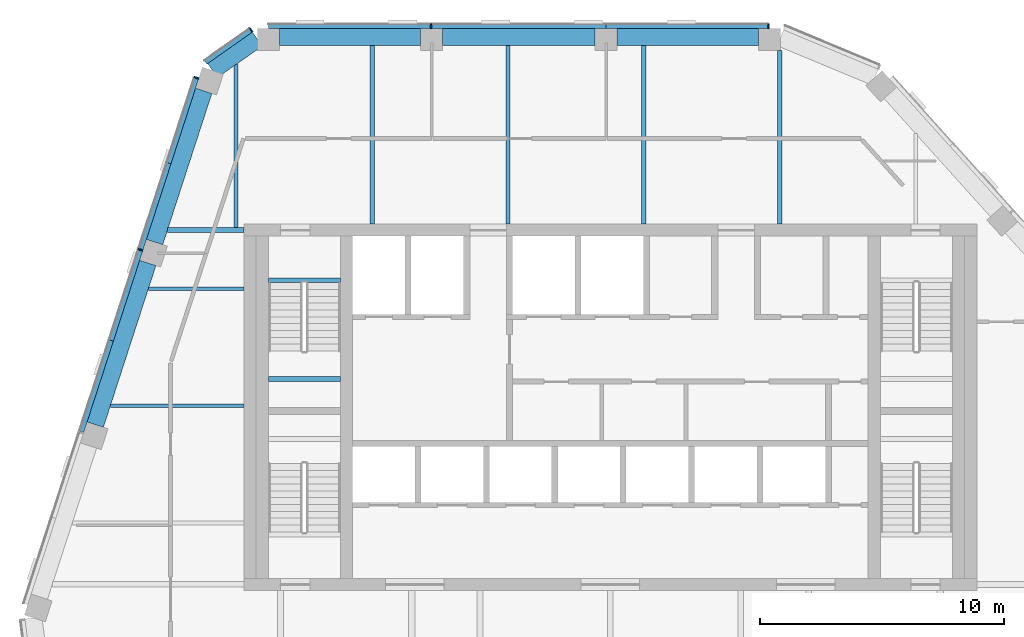
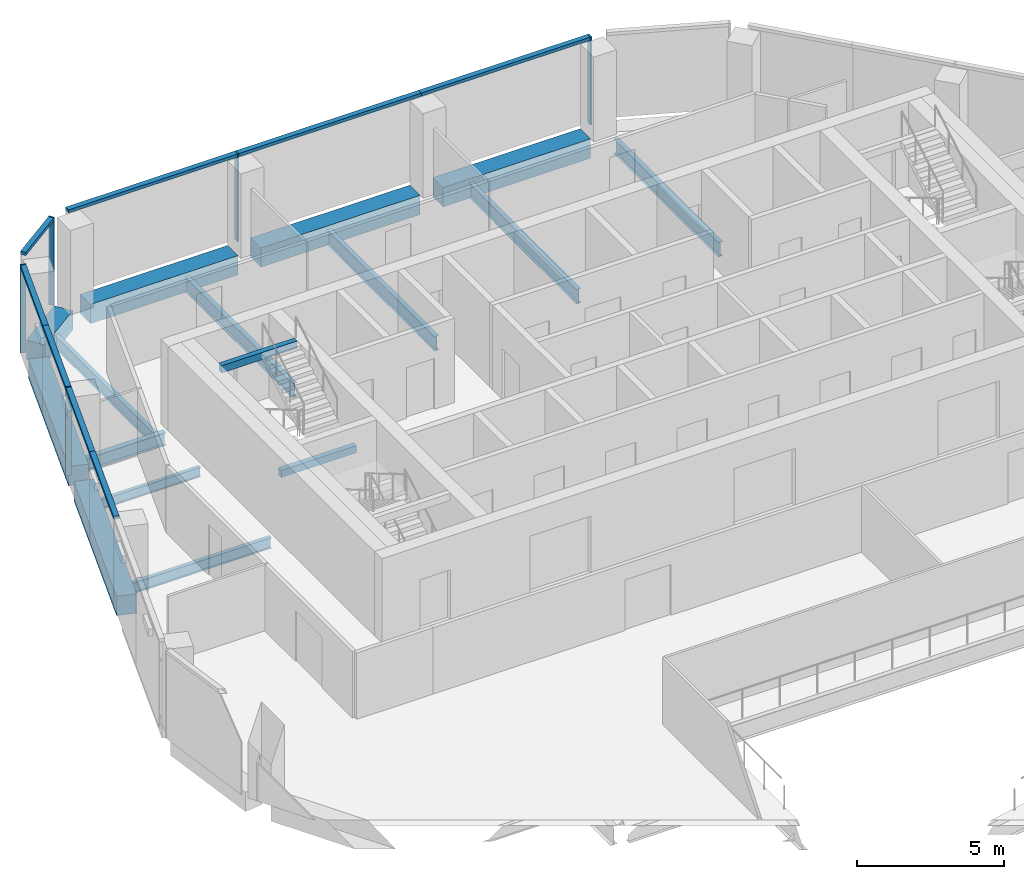
# One storey, part 5 of 15: 16 beams, 13 members, 3 elements without a shape of their own.
"""IFC4 building model written with IfcOpenShell, lengths in metres."""

from ifc_helpers import new_model, si_unit, direction, frame, origin, origin_2d, place, context, subcontext, project, spatial, rectangle, i_section, extrude, material, layer, layer_set, material_profile, profile_set, type_object, element, aggregate, save


model = new_model("IFC4")

# Units and contexts
model_context = context("Model", 3, precision=1e-05, world=origin(), true_north=direction((0.0, 1.0)))
body_context = subcontext(model_context, "Body", "Model", "MODEL_VIEW")
ifc_project = project(units=[si_unit("LENGTHUNIT", "METRE"), si_unit("AREAUNIT", "SQUARE_METRE"), si_unit("VOLUMEUNIT", "CUBIC_METRE"), si_unit("PLANEANGLEUNIT", "RADIAN"), si_unit("MASSUNIT", "GRAM", prefix="KILO")], contexts=[model_context])

# Site, building, storey
site_placement = place(None, origin())
site = spatial("IfcSite", under=ifc_project, at=site_placement, CompositionType="ELEMENT")
building_placement = place(site_placement, origin())
building = spatial("IfcBuilding", under=site, at=building_placement, Name="Isthmus Gate Tower", CompositionType="ELEMENT")
storey_placement = place(building_placement, frame((0.0, 0.0, 290.14990234375)))
storey = spatial("IfcBuildingStorey", under=building, at=storey_placement, Name="L74", CompositionType="ELEMENT", Elevation=290.14990234375)

# Curtain wall, members
ifc_material_1 = material(Name="Aluminium, pale champagne anodised", Category="aluminium")
ifc_layer = layer(ifc_material_1, 0.199951171875)
ifc_layer_set = layer_set([ifc_layer], Name="CW-1 UNITISED CURTAIN WALL 200 DEEP")
curtain_wall_type = type_object("IfcCurtainWallType", Name="CW-1 UNITISED CURTAIN WALL 200 DEEP", PredefinedType="NOTDEFINED", material=ifc_layer_set)
curtain_wall_1_placement = place(storey_placement, origin())
curtain_wall_1 = element("IfcCurtainWall", 1, at=curtain_wall_1_placement, inside=storey, type_object=curtain_wall_type, Name="CW-1 N L74", PredefinedType="NOTDEFINED")
ifc_material_2 = material(Name="Aluminium, pale champagne anodised", Category="aluminium")
ifc_material_profile_1 = material_profile(ifc_material_2, rectangle(XDim=0.06005859375, YDim=0.199951171875, at=origin_2d()), Name="60x200")
ifc_profile_set_1 = profile_set([ifc_material_profile_1], Name="Aluminium, pale champagne anodised")
member_type_1 = type_object("IfcMemberType", Name="CW-1 MULLION 60 X 200", PredefinedType="MULLION", material=ifc_profile_set_1)
member_1_placement = place(storey_placement, frame((6.4794921875, 23.10009765625, 0.0), z_axis=(0.0, 0.0, 1.0), x_axis=(-1.0, 0.0, 0.0)))
member_1 = element("IfcMember", 2, at=member_1_placement, type_object=member_type_1, Name="CW-1 mullion", PredefinedType="MULLION", context=body_context, shape_type="SweptSolid", body=[
    extrude(rectangle(XDim=0.06005859375, YDim=0.199951171875, at=origin_2d()), origin(), (0.0, 0.0, 1.0), 3.650146484375),
])
member_2_placement = place(storey_placement, frame((-7.339599609375, 23.10009765625, 0.0), z_axis=(0.0, 0.0, 1.0), x_axis=(-1.0, 0.0, 0.0)))
member_2 = element("IfcMember", 3, at=member_2_placement, type_object=member_type_1, Name="CW-1 mullion", PredefinedType="MULLION", context=body_context, shape_type="SweptSolid", body=[
    extrude(rectangle(XDim=0.06005859375, YDim=0.199951171875, at=origin_2d()), origin(), (0.0, 0.0, 1.0), 3.650146484375),
])

# Curtain wall, member
curtain_wall_2_placement = place(storey_placement, origin())
curtain_wall_2 = element("IfcCurtainWall", 4, at=curtain_wall_2_placement, inside=storey, type_object=curtain_wall_type, Name="CW-1 N-NW L74", PredefinedType="NOTDEFINED")
member_3_placement = place(storey_placement, frame((-14.69873046875, 22.943115234375, 0.0), z_axis=(0.0, 0.0, 1.0), x_axis=(-0.81785959165, -0.57541783805, 0.0)))
member_3 = element("IfcMember", 5, at=member_3_placement, type_object=member_type_1, Name="CW-1 mullion", PredefinedType="MULLION", context=body_context, shape_type="SweptSolid", body=[
    extrude(rectangle(XDim=0.06005859375, YDim=0.199951171875, at=origin_2d()), origin(), (0.0, 0.0, 1.0), 3.650146484375),
])

# Curtain wall, members
curtain_wall_3_placement = place(storey_placement, origin())
curtain_wall_3 = element("IfcCurtainWall", 6, at=curtain_wall_3_placement, inside=storey, type_object=curtain_wall_type, Name="CW-1 NW L74", PredefinedType="NOTDEFINED")
member_4_placement = place(storey_placement, frame((-16.9404296875, 20.9892578125, 0.0), z_axis=(0.0, 0.0, 1.0), x_axis=(-0.309016994375, -0.951056516295, 0.0)))
member_4 = element("IfcMember", 7, at=member_4_placement, type_object=member_type_1, Name="CW-1 mullion", PredefinedType="MULLION", context=body_context, shape_type="SweptSolid", body=[
    extrude(rectangle(XDim=0.06005859375, YDim=0.199951171875, at=origin_2d()), origin(), (0.0, 0.0, 1.0), 3.650146484375),
])
member_5_placement = place(storey_placement, frame((-19.229248046875, 13.945068359375, 0.0), z_axis=(0.0, 0.0, 1.0), x_axis=(-0.309016994375, -0.951056516295, 0.0)))
member_5 = element("IfcMember", 8, at=member_5_placement, type_object=member_type_1, Name="CW-1 mullion", PredefinedType="MULLION", context=body_context, shape_type="SweptSolid", body=[
    extrude(rectangle(XDim=0.06005859375, YDim=0.199951171875, at=origin_2d()), origin(), (0.0, 0.0, 1.0), 3.650146484375),
])

# Member
ifc_material_3 = material(Name="Aluminium, pale champagne anodised", Category="aluminium")
ifc_material_profile_2 = material_profile(ifc_material_3, rectangle(XDim=0.199951171875, YDim=0.1298828125, at=origin_2d()), Name="200x130")
ifc_profile_set_2 = profile_set([ifc_material_profile_2], Name="Aluminium, pale champagne anodised")
member_type_2 = type_object("IfcMemberType", Name="CW-1 TRANSOM 200 X 130", PredefinedType="USERDEFINED", material=ifc_profile_set_2)
member_6_placement = place(storey_placement, frame((6.449462890625, 23.10009765625, 3.585205078125), z_axis=(-1.0, 0.0, 0.0), x_axis=(0.0, -1.0, 0.0)))
member_6 = element("IfcMember", 9, at=member_6_placement, type_object=member_type_2, Name="CW-1 transom", ObjectType="TRANSOM", PredefinedType="USERDEFINED", context=body_context, shape_type="SweptSolid", body=[
    extrude(rectangle(XDim=0.199951171875, YDim=0.1298828125, at=origin_2d()), origin(), (0.0, 0.0, 1.0), 6.62451171875),
])

member_7_placement = place(storey_placement, frame((-0.175048828125, 23.10009765625, 3.585205078125), z_axis=(-1.0, 0.0, 0.0), x_axis=(0.0, -1.0, 0.0)))
member_7 = element("IfcMember", 10, at=member_7_placement, type_object=member_type_2, Name="CW-1 transom", ObjectType="TRANSOM", PredefinedType="USERDEFINED", context=body_context, shape_type="SweptSolid", body=[
    extrude(rectangle(XDim=0.199951171875, YDim=0.1298828125, at=origin_2d()), origin(), (0.0, 0.0, 1.0), 7.134521484375),
])

member_8_placement = place(storey_placement, frame((-7.36962890625, 23.10009765625, 3.585205078125), z_axis=(-1.0, 0.0, 0.0), x_axis=(0.0, -1.0, 0.0)))
member_8 = element("IfcMember", 11, at=member_8_placement, type_object=member_type_2, Name="CW-1 transom", ObjectType="TRANSOM", PredefinedType="USERDEFINED", context=body_context, shape_type="SweptSolid", body=[
    extrude(rectangle(XDim=0.199951171875, YDim=0.1298828125, at=origin_2d()), origin(), (0.0, 0.0, 1.0), 6.62451171875),
])

aggregate(curtain_wall_1, [member_1, member_6, member_7, member_2, member_8])

member_9_placement = place(storey_placement, frame((-14.723388671875, 22.92578125, 3.585205078125), z_axis=(-0.817868595604, -0.575405040233, 0.0), x_axis=(0.575405040233, -0.817868595604, 0.0)))
member_9 = element("IfcMember", 12, at=member_9_placement, type_object=member_type_2, Name="CW-1 transom", ObjectType="TRANSOM", PredefinedType="USERDEFINED", context=body_context, shape_type="SweptSolid", body=[
    extrude(rectangle(XDim=0.199951171875, YDim=0.1298828125, at=origin_2d()), origin(), (0.0, 0.0, 1.0), 2.258544921875),
])

aggregate(curtain_wall_2, [member_3, member_9])

member_10_placement = place(storey_placement, frame((-16.94970703125, 20.960693359375, 3.585205078125), z_axis=(-0.30904213216, -0.951048348166, 0.0), x_axis=(0.951048348166, -0.30904213216, 0.0)))
member_10 = element("IfcMember", 13, at=member_10_placement, type_object=member_type_2, Name="CW-1 transom", ObjectType="TRANSOM", PredefinedType="USERDEFINED", context=body_context, shape_type="SweptSolid", body=[
    extrude(rectangle(XDim=0.199951171875, YDim=0.1298828125, at=origin_2d()), origin(), (0.0, 0.0, 1.0), 3.6435546875),
])

member_11_placement = place(storey_placement, frame((-18.07568359375, 17.49560546875, 3.585205078125), z_axis=(-0.308999609488, -0.951062164812, 0.0), x_axis=(0.951062164812, -0.308999609488, 0.0)))
member_11 = element("IfcMember", 14, at=member_11_placement, type_object=member_type_2, Name="CW-1 transom", ObjectType="TRANSOM", PredefinedType="USERDEFINED", context=body_context, shape_type="SweptSolid", body=[
    extrude(rectangle(XDim=0.199951171875, YDim=0.1298828125, at=origin_2d()), origin(), (0.0, 0.0, 1.0), 3.703125),
])

member_12_placement = place(storey_placement, frame((-19.238525390625, 13.91650390625, 3.585205078125), z_axis=(-0.309061811928, -0.951041953022, 0.0), x_axis=(0.951041953022, -0.309061811928, 0.0)))
member_12 = element("IfcMember", 15, at=member_12_placement, type_object=member_type_2, Name="CW-1 transom", ObjectType="TRANSOM", PredefinedType="USERDEFINED", context=body_context, shape_type="SweptSolid", body=[
    extrude(rectangle(XDim=0.199951171875, YDim=0.1298828125, at=origin_2d()), origin(), (0.0, 0.0, 1.0), 3.868408203125),
])

member_13_placement = place(storey_placement, frame((-20.43408203125, 10.237548828125, 3.585205078125), z_axis=(-0.308984896154, -0.951066945041, 0.0), x_axis=(0.951066945041, -0.308984896154, 0.0)))
member_13 = element("IfcMember", 16, at=member_13_placement, type_object=member_type_2, Name="CW-1 transom", ObjectType="TRANSOM", PredefinedType="USERDEFINED", context=body_context, shape_type="SweptSolid", body=[
    extrude(rectangle(XDim=0.199951171875, YDim=0.1298828125, at=origin_2d()), origin(), (0.0, 0.0, 1.0), 3.928466796875),
])

aggregate(curtain_wall_3, [member_4, member_10, member_11, member_5, member_12, member_13])

# Beams
ifc_material_4 = material(Name="Concrete f'c 50 MPa", Category="concrete")
ifc_material_profile_3 = material_profile(ifc_material_4, rectangle(XDim=0.699951171875, YDim=0.800048828125, at=origin_2d()), Name="RC 700X800")
ifc_profile_set_3 = profile_set([ifc_material_profile_3], Name="Concrete f'c 50 MPa")
beam_type_1 = type_object("IfcBeamType", Name="RC SPANDREL 700 X 800", PredefinedType="SPANDREL", material=ifc_profile_set_3)
beam_1_placement = place(storey_placement, frame((-21.080810546875, 6.790283203125, -0.39990234375), z_axis=(0.309006716915, 0.951059855583, 0.0), x_axis=(-0.951059855583, 0.309006716915, 0.0)))
element("IfcBeam", 17, at=beam_1_placement, inside=storey, type_object=beam_type_1, Name="str-spandrel-L74-18", PredefinedType="SPANDREL", context=body_context, shape_type="SweptSolid", body=[
    extrude(rectangle(XDim=0.699951171875, YDim=0.800048828125, at=origin_2d()), origin(), (0.0, 0.0, 1.0), 6.956787109375),
])
beam_2_placement = place(storey_placement, frame((-18.653076171875, 14.262451171875, -0.39990234375), z_axis=(0.30901480678, 0.951057227085, 0.0), x_axis=(-0.951057227085, 0.30901480678, 0.0)))
element("IfcBeam", 18, at=beam_2_placement, inside=storey, type_object=beam_type_1, Name="str-spandrel-L74-19", PredefinedType="SPANDREL", context=body_context, shape_type="SweptSolid", body=[
    extrude(rectangle(XDim=0.699951171875, YDim=0.800048828125, at=origin_2d()), origin(), (0.0, 0.0, 1.0), 6.5068359375),
])
beam_3_placement = place(storey_placement, frame((-16.281005859375, 21.27978515625, -0.39990234375), z_axis=(0.817891678431, 0.57537222939, 0.0), x_axis=(-0.57537222939, 0.817891678431, 0.0)))
element("IfcBeam", 19, at=beam_3_placement, inside=storey, type_object=beam_type_1, Name="str-spandrel-L74-20", PredefinedType="SPANDREL", context=body_context, shape_type="SweptSolid", body=[
    extrude(rectangle(XDim=0.699951171875, YDim=0.800048828125, at=origin_2d()), origin(), (0.0, 0.0, 1.0), 2.245849609375),
])
beam_4_placement = place(storey_placement, frame((-13.544189453125, 22.64990234375, -0.39990234375), z_axis=(1.0, 0.0, 0.0), x_axis=(0.0, 1.0, 0.0)))
element("IfcBeam", 20, at=beam_4_placement, inside=storey, type_object=beam_type_1, Name="str-spandrel-L74-21", PredefinedType="SPANDREL", context=body_context, shape_type="SweptSolid", body=[
    extrude(rectangle(XDim=0.699951171875, YDim=0.800048828125, at=origin_2d()), origin(), (0.0, 0.0, 1.0), 5.78466796875),
])
beam_5_placement = place(storey_placement, frame((-6.859619140625, 22.64990234375, -0.39990234375), z_axis=(1.0, 0.0, 0.0), x_axis=(0.0, 1.0, 0.0)))
element("IfcBeam", 21, at=beam_5_placement, inside=storey, type_object=beam_type_1, Name="str-spandrel-L74-22", PredefinedType="SPANDREL", context=body_context, shape_type="SweptSolid", body=[
    extrude(rectangle(XDim=0.699951171875, YDim=0.800048828125, at=origin_2d()), origin(), (0.0, 0.0, 1.0), 6.234619140625),
])
beam_6_placement = place(storey_placement, frame((0.27490234375, 22.64990234375, -0.39990234375), z_axis=(1.0, 0.0, 0.0), x_axis=(0.0, 1.0, 0.0)))
element("IfcBeam", 22, at=beam_6_placement, inside=storey, type_object=beam_type_1, Name="str-spandrel-L74-23", PredefinedType="SPANDREL", context=body_context, shape_type="SweptSolid", body=[
    extrude(rectangle(XDim=0.699951171875, YDim=0.800048828125, at=origin_2d()), origin(), (0.0, 0.0, 1.0), 5.784423828125),
])
ifc_material_5 = material(Name="Concrete f'c 40 MPa", Category="concrete")
ifc_material_profile_4 = material_profile(ifc_material_5, rectangle(XDim=0.199951171875, YDim=0.300048828125, at=origin_2d()), Name="STAIR LANDING BEAM RC 200 X 300")
ifc_profile_set_4 = profile_set([ifc_material_profile_4], Name="Concrete f'c 40 MPa")
beam_type_2 = type_object("IfcBeamType", Name="STAIR LANDING BEAM RC 200 X 300", PredefinedType="BEAM", material=ifc_profile_set_4)
for number, where, z_axis, x_axis, name in (
    (23, (-14.0, 8.64990234375, 1.47509765625), (1.0, 0.0, 0.0), (0.0, 1.0, 0.0), "L74 ST1 landing beam 1"),
    (24, (-14.0, 12.7001953125, 3.35009765625), (1.0, 0.0, 0.0), (0.0, 1.0, 0.0), "L74 ST1 floor-edge seat beam"),
):
    element("IfcBeam", number, at=place(storey_placement, frame(where, z_axis=z_axis, x_axis=x_axis)), inside=storey, type_object=beam_type_2, Name=name, PredefinedType="BEAM", context=body_context, shape_type="SweptSolid", body=[
        extrude(rectangle(XDim=0.199951171875, YDim=0.300048828125, at=origin_2d()), origin(), (0.0, 0.0, 1.0), 2.949951171875),
    ])
ifc_material_6 = material(Name="Structural steel ASTM A992 Gr 50", Category="steel")
ifc_material_profile_5 = material_profile(ifc_material_6, i_section(OverallWidth=0.1396484375, OverallDepth=0.4033203125, WebThickness=0.00634765625, FlangeThickness=0.010986328125, at=origin_2d()), Name="W16X31")
ifc_profile_set_5 = profile_set([ifc_material_profile_5], Name="Structural steel ASTM A992 Gr 50")
beam_type_3 = type_object("IfcBeamType", Name="STEEL FLOOR BEAM W16X31", PredefinedType="JOIST", material=ifc_profile_set_5)
beam_7_placement = place(storey_placement, frame((-18.905517578125, 12.352294921875, -0.3515625), z_axis=(1.0, 0.0, 0.0), x_axis=(0.0, 1.0, 0.0)))
element("IfcBeam", 25, at=beam_7_placement, inside=storey, type_object=beam_type_3, Name="str-beam-L74-00-02", PredefinedType="JOIST", context=body_context, shape_type="SweptSolid", body=[
    extrude(i_section(OverallWidth=0.1396484375, OverallDepth=0.4033203125, WebThickness=0.00634765625, FlangeThickness=0.010986328125, at=origin_2d()), origin(), (0.0, 0.0, 1.0), 3.905517578125),
])
ifc_material_7 = material(Name="Structural steel ASTM A992 Gr 50", Category="steel")
ifc_material_profile_6 = material_profile(ifc_material_7, i_section(OverallWidth=0.15234375, OverallDepth=0.45068359375, WebThickness=0.0078125, FlangeThickness=0.010986328125, at=origin_2d()), Name="W18X35")
ifc_profile_set_6 = profile_set([ifc_material_profile_6], Name="Structural steel ASTM A992 Gr 50")
beam_type_4 = type_object("IfcBeamType", Name="STEEL FLOOR BEAM W18X35", PredefinedType="JOIST", material=ifc_profile_set_6)
beam_8_placement = place(storey_placement, frame((-20.463623046875, 7.55712890625, -0.375244140625), z_axis=(1.0, 0.0, 0.0), x_axis=(0.0, 1.0, 0.0)))
element("IfcBeam", 26, at=beam_8_placement, inside=storey, type_object=beam_type_4, Name="str-beam-L74-00-01", PredefinedType="JOIST", context=body_context, shape_type="SweptSolid", body=[
    extrude(i_section(OverallWidth=0.15234375, OverallDepth=0.45068359375, WebThickness=0.0078125, FlangeThickness=0.010986328125, at=origin_2d()), origin(), (0.0, 0.0, 1.0), 5.463623046875),
])
ifc_material_8 = material(Name="Structural steel ASTM A992 Gr 50", Category="steel")
ifc_material_profile_7 = material_profile(ifc_material_8, i_section(OverallWidth=0.1650390625, OverallDepth=0.52392578125, WebThickness=0.009521484375, FlangeThickness=0.010986328125, at=origin_2d()), Name="W21X44")
ifc_profile_set_7 = profile_set([ifc_material_profile_7], Name="Structural steel ASTM A992 Gr 50")
beam_type_5 = type_object("IfcBeamType", Name="STEEL FLOOR BEAM W21X44", PredefinedType="JOIST", material=ifc_profile_set_7)
beam_9_placement = place(storey_placement, frame((-15.311767578125, 14.854736328125, -0.411865234375), z_axis=(0.0, 1.0, 0.0), x_axis=(-1.0, 0.0, 0.0)))
element("IfcBeam", 27, at=beam_9_placement, inside=storey, type_object=beam_type_5, Name="str-beam-L74-07-00", PredefinedType="JOIST", context=body_context, shape_type="SweptSolid", body=[
    extrude(i_section(OverallWidth=0.1650390625, OverallDepth=0.52392578125, WebThickness=0.009521484375, FlangeThickness=0.010986328125, at=origin_2d()), origin(), (0.0, 0.0, 1.0), 6.678955078125),
])
ifc_material_9 = material(Name="Structural steel ASTM A992 Gr 50", Category="steel")
ifc_material_profile_8 = material_profile(ifc_material_9, i_section(OverallWidth=0.177734375, OverallDepth=0.60009765625, WebThickness=0.009521484375, FlangeThickness=0.0126953125, at=origin_2d()), Name="W24X55")
ifc_profile_set_8 = profile_set([ifc_material_profile_8], Name="Structural steel ASTM A992 Gr 50")
beam_type_6 = type_object("IfcBeamType", Name="STEEL FLOOR BEAM W24X55", PredefinedType="JOIST", material=ifc_profile_set_8)
for number, where, z_axis, x_axis, name in (
    (28, (-9.750244140625, 15.0, -0.449951171875), (0.0, 1.0, 0.0), (-1.0, 0.0, 0.0), "str-beam-L74-07-01"),
    (29, (-4.188720703125, 15.0, -0.449951171875), (0.0, 1.0, 0.0), (-1.0, 0.0, 0.0), "str-beam-L74-07-02"),
    (30, (1.372802734375, 15.0, -0.449951171875), (0.0, 1.0, 0.0), (-1.0, 0.0, 0.0), "str-beam-L74-07-03"),
):
    element("IfcBeam", number, at=place(storey_placement, frame(where, z_axis=z_axis, x_axis=x_axis)), inside=storey, type_object=beam_type_6, Name=name, PredefinedType="JOIST", context=body_context, shape_type="SweptSolid", body=[
        extrude(i_section(OverallWidth=0.177734375, OverallDepth=0.60009765625, WebThickness=0.009521484375, FlangeThickness=0.0126953125, at=origin_2d()), origin(), (0.0, 0.0, 1.0), 7.300048828125),
    ])
beam_10_placement = place(storey_placement, frame((6.93408203125, 15.0, -0.449951171875), z_axis=(0.0, 1.0, 0.0), x_axis=(-1.0, 0.0, 0.0)))
element("IfcBeam", 31, at=beam_10_placement, inside=storey, type_object=beam_type_6, Name="str-beam-L74-07-04", PredefinedType="JOIST", context=body_context, shape_type="SweptSolid", body=[
    extrude(i_section(OverallWidth=0.177734375, OverallDepth=0.60009765625, WebThickness=0.009521484375, FlangeThickness=0.0126953125, at=origin_2d()), origin(), (0.0, 0.0, 1.0), 7.10009765625),
])
ifc_material_10 = material(Name="Structural steel ASTM A992 Gr 50", Category="steel")
ifc_material_profile_9 = material_profile(ifc_material_10, i_section(OverallWidth=0.20947265625, OverallDepth=0.533447265625, WebThickness=0.009521484375, FlangeThickness=0.015869140625, at=origin_2d()), Name="W21X62")
ifc_profile_set_9 = profile_set([ifc_material_profile_9], Name="Structural steel ASTM A992 Gr 50")
beam_type_7 = type_object("IfcBeamType", Name="STEEL GIRDER W21X62", PredefinedType="BEAM", material=ifc_profile_set_9)
beam_11_placement = place(storey_placement, frame((-15.0, 14.75, -0.41650390625), z_axis=(-1.0, 0.0, 0.0), x_axis=(0.0, -1.0, 0.0)))
element("IfcBeam", 32, at=beam_11_placement, inside=storey, type_object=beam_type_7, Name="str-girder-L74-11", PredefinedType="BEAM", context=body_context, shape_type="SweptSolid", body=[
    extrude(i_section(OverallWidth=0.20947265625, OverallDepth=0.533447265625, WebThickness=0.009521484375, FlangeThickness=0.015869140625, at=origin_2d()), origin(), (0.0, 0.0, 1.0), 3.12646484375),
])

save(model, "model.ifc")
